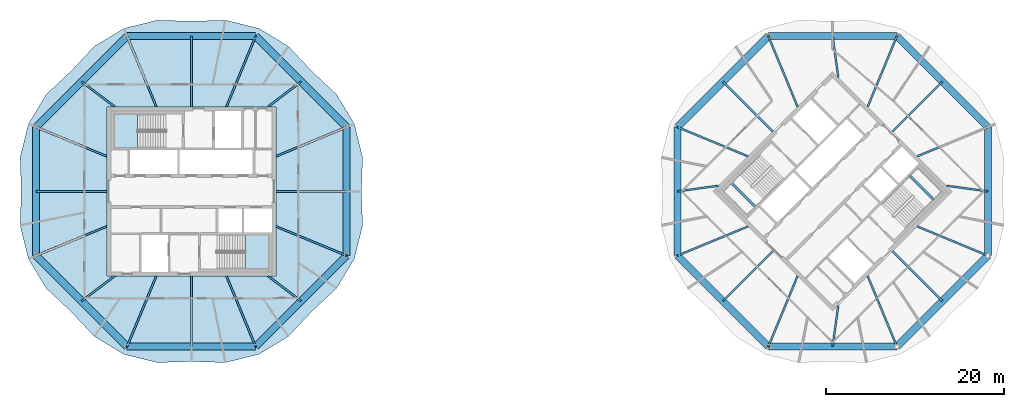
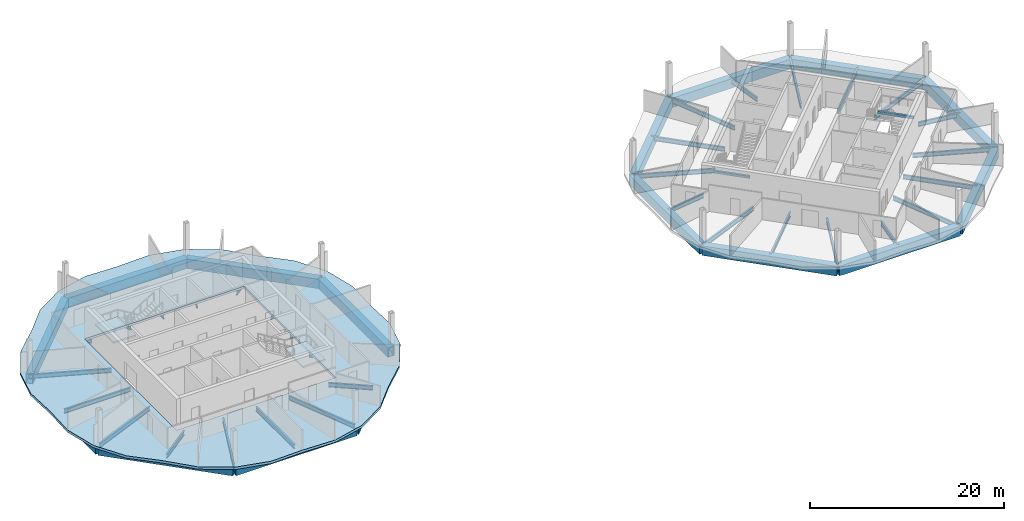
# One storey, part 3 of 10: 50 beams, 3 slabs, 2 elements without a shape of their own.
"""IFC4 building model written with IfcOpenShell, lengths in metres."""

from ifc_helpers import new_model, si_unit, direction, frame, origin, origin_2d, place, context, subcontext, project, spatial, polyline, rectangle, hollow_rectangle, i_section, outline, extrude, material, layer, layer_set, material_profile, profile_set, type_object, element, aggregate, save


model = new_model("IFC4")

# Units and contexts
model_context = context("Model", 3, precision=1e-05, world=origin(), true_north=direction((0.0, 1.0)))
body_context = subcontext(model_context, "Body", "Model", "MODEL_VIEW")
ifc_project = project(units=[si_unit("LENGTHUNIT", "METRE"), si_unit("AREAUNIT", "SQUARE_METRE"), si_unit("VOLUMEUNIT", "CUBIC_METRE"), si_unit("PLANEANGLEUNIT", "RADIAN"), si_unit("MASSUNIT", "GRAM", prefix="KILO")], contexts=[model_context])

# Site, building, storey
site_placement = place(None, origin())
site = spatial("IfcSite", under=ifc_project, at=site_placement, CompositionType="ELEMENT")
building_placement = place(site_placement, origin())
building = spatial("IfcBuilding", under=site, at=building_placement, Name="Ogive Gate Towers", CompositionType="ELEMENT")
storey_placement = place(building_placement, frame((0.0, 0.0, 264.60009765625)))
storey = spatial("IfcBuildingStorey", under=building, at=storey_placement, Name="L62", CompositionType="ELEMENT", Elevation=264.60009765625)

# Beams
ifc_material_1 = material(Name="Steel SM460", Category="steel")
ifc_material_profile_1 = material_profile(ifc_material_1, hollow_rectangle(XDim=0.800048828125, YDim=1.199951171875, WallThickness=0.050048828125, at=origin_2d()), Name="BX 1200x800x50")
ifc_profile_set_1 = profile_set([ifc_material_profile_1], Name="Steel SM460")
beam_type_1 = type_object("IfcBeamType", Name="Edge girder BX 1200x800x50", PredefinedType="BEAM", material=ifc_profile_set_1)
beam_1_placement = place(storey_placement, frame((-53.42431640625, -7.217529296875, -0.900146484375), z_axis=(0.707106781187, -0.707106781187, 0.0), x_axis=(0.707106781187, 0.707106781187, 0.0)))
element("IfcBeam", 1, at=beam_1_placement, inside=storey, type_object=beam_type_1, Name="T1/L62/SBM017", PredefinedType="BEAM", context=body_context, shape_type="SweptSolid", body=[
    extrude(hollow_rectangle(XDim=0.800048828125, YDim=1.199951171875, WallThickness=0.050048828125, at=origin_2d()), origin(), (0.0, 0.0, 1.0), 14.4345703125),
])
beam_2_placement = place(storey_placement, frame((-43.217529296875, -17.42431640625, -0.900146484375), z_axis=(1.0, 0.0, 0.0), x_axis=(0.0, 1.0, 0.0)))
element("IfcBeam", 2, at=beam_2_placement, inside=storey, type_object=beam_type_1, Name="T1/L62/SBM018", PredefinedType="BEAM", context=body_context, shape_type="SweptSolid", body=[
    extrude(hollow_rectangle(XDim=0.800048828125, YDim=1.199951171875, WallThickness=0.050048828125, at=origin_2d()), origin(), (0.0, 0.0, 1.0), 14.43505859375),
])
beam_3_placement = place(storey_placement, frame((-28.782470703125, -17.42431640625, -0.900146484375), z_axis=(0.707106781187, 0.707106781187, 0.0), x_axis=(-0.707106781187, 0.707106781187, 0.0)))
element("IfcBeam", 3, at=beam_3_placement, inside=storey, type_object=beam_type_1, Name="T1/L62/SBM019", PredefinedType="BEAM", context=body_context, shape_type="SweptSolid", body=[
    extrude(hollow_rectangle(XDim=0.800048828125, YDim=1.199951171875, WallThickness=0.050048828125, at=origin_2d()), origin(), (0.0, 0.0, 1.0), 14.4345703125),
])
beam_4_placement = place(storey_placement, frame((-18.57568359375, -7.217529296875, -0.900146484375), z_axis=(0.0, 1.0, 0.0), x_axis=(-1.0, 0.0, 0.0)))
element("IfcBeam", 4, at=beam_4_placement, inside=storey, type_object=beam_type_1, Name="T1/L62/SBM020", PredefinedType="BEAM", context=body_context, shape_type="SweptSolid", body=[
    extrude(hollow_rectangle(XDim=0.800048828125, YDim=1.199951171875, WallThickness=0.050048828125, at=origin_2d()), origin(), (0.0, 0.0, 1.0), 14.43505859375),
])
beam_5_placement = place(storey_placement, frame((-18.57568359375, 7.217529296875, -0.900146484375), z_axis=(-0.707106781187, 0.707106781187, 0.0), x_axis=(-0.707106781187, -0.707106781187, 0.0)))
element("IfcBeam", 5, at=beam_5_placement, inside=storey, type_object=beam_type_1, Name="T1/L62/SBM021", PredefinedType="BEAM", context=body_context, shape_type="SweptSolid", body=[
    extrude(hollow_rectangle(XDim=0.800048828125, YDim=1.199951171875, WallThickness=0.050048828125, at=origin_2d()), origin(), (0.0, 0.0, 1.0), 14.4345703125),
])
beam_6_placement = place(storey_placement, frame((-28.782470703125, 17.42431640625, -0.900146484375), z_axis=(-1.0, 0.0, 0.0), x_axis=(0.0, -1.0, 0.0)))
element("IfcBeam", 6, at=beam_6_placement, inside=storey, type_object=beam_type_1, Name="T1/L62/SBM022", PredefinedType="BEAM", context=body_context, shape_type="SweptSolid", body=[
    extrude(hollow_rectangle(XDim=0.800048828125, YDim=1.199951171875, WallThickness=0.050048828125, at=origin_2d()), origin(), (0.0, 0.0, 1.0), 14.43505859375),
])
beam_7_placement = place(storey_placement, frame((-43.217529296875, 17.42431640625, -0.900146484375), z_axis=(-0.707106781187, -0.707106781187, 0.0), x_axis=(0.707106781187, -0.707106781187, 0.0)))
element("IfcBeam", 7, at=beam_7_placement, inside=storey, type_object=beam_type_1, Name="T1/L62/SBM023", PredefinedType="BEAM", context=body_context, shape_type="SweptSolid", body=[
    extrude(hollow_rectangle(XDim=0.800048828125, YDim=1.199951171875, WallThickness=0.050048828125, at=origin_2d()), origin(), (0.0, 0.0, 1.0), 14.4345703125),
])
beam_8_placement = place(storey_placement, frame((-53.42431640625, 7.217529296875, -0.900146484375), z_axis=(0.0, -1.0, 0.0), x_axis=(1.0, 0.0, 0.0)))
element("IfcBeam", 8, at=beam_8_placement, inside=storey, type_object=beam_type_1, Name="T1/L62/SBM024", PredefinedType="BEAM", context=body_context, shape_type="SweptSolid", body=[
    extrude(hollow_rectangle(XDim=0.800048828125, YDim=1.199951171875, WallThickness=0.050048828125, at=origin_2d()), origin(), (0.0, 0.0, 1.0), 14.43505859375),
])
beam_9_placement = place(storey_placement, frame((18.57568359375, -7.217529296875, -0.900146484375), z_axis=(0.707106781187, -0.707106781187, 0.0), x_axis=(0.707106781187, 0.707106781187, 0.0)))
element("IfcBeam", 9, at=beam_9_placement, inside=storey, type_object=beam_type_1, Name="T2/L62/SBM017", PredefinedType="BEAM", context=body_context, shape_type="SweptSolid", body=[
    extrude(hollow_rectangle(XDim=0.800048828125, YDim=1.199951171875, WallThickness=0.050048828125, at=origin_2d()), origin(), (0.0, 0.0, 1.0), 14.4345703125),
])
beam_10_placement = place(storey_placement, frame((28.782470703125, -17.42431640625, -0.900146484375), z_axis=(1.0, 0.0, 0.0), x_axis=(0.0, 1.0, 0.0)))
element("IfcBeam", 10, at=beam_10_placement, inside=storey, type_object=beam_type_1, Name="T2/L62/SBM018", PredefinedType="BEAM", context=body_context, shape_type="SweptSolid", body=[
    extrude(hollow_rectangle(XDim=0.800048828125, YDim=1.199951171875, WallThickness=0.050048828125, at=origin_2d()), origin(), (0.0, 0.0, 1.0), 14.43505859375),
])
beam_11_placement = place(storey_placement, frame((43.217529296875, -17.42431640625, -0.900146484375), z_axis=(0.707106781187, 0.707106781187, 0.0), x_axis=(-0.707106781187, 0.707106781187, 0.0)))
element("IfcBeam", 11, at=beam_11_placement, inside=storey, type_object=beam_type_1, Name="T2/L62/SBM019", PredefinedType="BEAM", context=body_context, shape_type="SweptSolid", body=[
    extrude(hollow_rectangle(XDim=0.800048828125, YDim=1.199951171875, WallThickness=0.050048828125, at=origin_2d()), origin(), (0.0, 0.0, 1.0), 14.4345703125),
])
beam_12_placement = place(storey_placement, frame((53.42431640625, -7.217529296875, -0.900146484375), z_axis=(0.0, 1.0, 0.0), x_axis=(-1.0, 0.0, 0.0)))
element("IfcBeam", 12, at=beam_12_placement, inside=storey, type_object=beam_type_1, Name="T2/L62/SBM020", PredefinedType="BEAM", context=body_context, shape_type="SweptSolid", body=[
    extrude(hollow_rectangle(XDim=0.800048828125, YDim=1.199951171875, WallThickness=0.050048828125, at=origin_2d()), origin(), (0.0, 0.0, 1.0), 14.43505859375),
])
beam_13_placement = place(storey_placement, frame((53.42431640625, 7.217529296875, -0.900146484375), z_axis=(-0.707106781187, 0.707106781187, 0.0), x_axis=(-0.707106781187, -0.707106781187, 0.0)))
element("IfcBeam", 13, at=beam_13_placement, inside=storey, type_object=beam_type_1, Name="T2/L62/SBM021", PredefinedType="BEAM", context=body_context, shape_type="SweptSolid", body=[
    extrude(hollow_rectangle(XDim=0.800048828125, YDim=1.199951171875, WallThickness=0.050048828125, at=origin_2d()), origin(), (0.0, 0.0, 1.0), 14.4345703125),
])
beam_14_placement = place(storey_placement, frame((43.217529296875, 17.42431640625, -0.900146484375), z_axis=(-1.0, 0.0, 0.0), x_axis=(0.0, -1.0, 0.0)))
element("IfcBeam", 14, at=beam_14_placement, inside=storey, type_object=beam_type_1, Name="T2/L62/SBM022", PredefinedType="BEAM", context=body_context, shape_type="SweptSolid", body=[
    extrude(hollow_rectangle(XDim=0.800048828125, YDim=1.199951171875, WallThickness=0.050048828125, at=origin_2d()), origin(), (0.0, 0.0, 1.0), 14.43505859375),
])
beam_15_placement = place(storey_placement, frame((28.782470703125, 17.42431640625, -0.900146484375), z_axis=(-0.707106781187, -0.707106781187, 0.0), x_axis=(0.707106781187, -0.707106781187, 0.0)))
element("IfcBeam", 15, at=beam_15_placement, inside=storey, type_object=beam_type_1, Name="T2/L62/SBM023", PredefinedType="BEAM", context=body_context, shape_type="SweptSolid", body=[
    extrude(hollow_rectangle(XDim=0.800048828125, YDim=1.199951171875, WallThickness=0.050048828125, at=origin_2d()), origin(), (0.0, 0.0, 1.0), 14.4345703125),
])
beam_16_placement = place(storey_placement, frame((18.57568359375, 7.217529296875, -0.900146484375), z_axis=(0.0, -1.0, 0.0), x_axis=(1.0, 0.0, 0.0)))
element("IfcBeam", 16, at=beam_16_placement, inside=storey, type_object=beam_type_1, Name="T2/L62/SBM024", PredefinedType="BEAM", context=body_context, shape_type="SweptSolid", body=[
    extrude(hollow_rectangle(XDim=0.800048828125, YDim=1.199951171875, WallThickness=0.050048828125, at=origin_2d()), origin(), (0.0, 0.0, 1.0), 14.43505859375),
])
ifc_material_2 = material(Name="Concrete C40/50", Category="concrete")
ifc_material_profile_2 = material_profile(ifc_material_2, rectangle(XDim=0.25, YDim=0.300048828125, at=origin_2d()), Name="RC 250x300")
ifc_profile_set_2 = profile_set([ifc_material_profile_2], Name="Concrete C40/50")
beam_type_2 = type_object("IfcBeamType", Name="Landing bearer RC 250x300", PredefinedType="BEAM", material=ifc_profile_set_2)
for number, where, z_axis, x_axis, name in (
    (17, (24.64111328125, 0.94482421875, 1.75), (0.707138693938, -0.707074866995, 0.0), (0.707074866995, 0.707138693938, 0.0), "T2 L62 stair 1 landing bearer 1"),
    (18, (47.35888671875, -0.94482421875, 1.75), (-0.707138693938, 0.707074866995, 0.0), (-0.707074866995, -0.707138693938, 0.0), "T2 L62 stair 2 landing bearer 1"),
):
    element("IfcBeam", number, at=place(storey_placement, frame(where, z_axis=z_axis, x_axis=x_axis)), inside=storey, type_object=beam_type_2, Name=name, PredefinedType="BEAM", context=body_context, shape_type="SweptSolid", body=[
        extrude(rectangle(XDim=0.25, YDim=0.300048828125, at=origin_2d()), origin(), (0.0, 0.0, 1.0), 3.824951171875),
    ])
ifc_material_3 = material(Name="Steel SM355", Category="steel")
ifc_material_profile_3 = material_profile(ifc_material_3, i_section(OverallWidth=0.2099609375, OverallDepth=0.550048828125, WebThickness=0.010986328125, FlangeThickness=0.01708984375, FilletRadius=0.02392578125, at=origin_2d()), Name="IPE 550")
ifc_profile_set_3 = profile_set([ifc_material_profile_3], Name="Steel SM355")
beam_type_3 = type_object("IfcBeamType", Name="Radial floor beam IPE 550", PredefinedType="BEAM", material=ifc_profile_set_3)
beam_17_placement = place(storey_placement, frame((-45.5, -3.93505859375, -0.5751953125), z_axis=(-0.923874941579, -0.382694515667, 0.0), x_axis=(0.382694515667, -0.923874941579, 0.0)))
element("IfcBeam", 19, at=beam_17_placement, inside=storey, type_object=beam_type_3, Name="T1/L62/SBM001", PredefinedType="BEAM", context=body_context, shape_type="SweptSolid", body=[
    extrude(i_section(OverallWidth=0.2099609375, OverallDepth=0.550048828125, WebThickness=0.010986328125, FlangeThickness=0.01708984375, FilletRadius=0.02392578125, at=origin_2d()), origin(), (0.0, 0.0, 1.0), 8.5771484375),
])
beam_18_placement = place(storey_placement, frame((-44.60009765625, -9.5, -0.5751953125), z_axis=(-0.796877025219, -0.604141545235, 0.0), x_axis=(0.604141545235, -0.796877025219, 0.0)))
element("IfcBeam", 20, at=beam_18_placement, inside=storey, type_object=beam_type_3, Name="T1/L62/SBM002", PredefinedType="BEAM", context=body_context, shape_type="SweptSolid", body=[
    extrude(i_section(OverallWidth=0.2099609375, OverallDepth=0.550048828125, WebThickness=0.010986328125, FlangeThickness=0.01708984375, FilletRadius=0.02392578125, at=origin_2d()), origin(), (0.0, 0.0, 1.0), 4.669189453125),
])
beam_19_placement = place(storey_placement, frame((-39.93505859375, -9.5, -0.5751953125), z_axis=(-0.382694515667, -0.923874941579, 0.0), x_axis=(0.923874941579, -0.382694515667, 0.0)))
element("IfcBeam", 21, at=beam_19_placement, inside=storey, type_object=beam_type_3, Name="T1/L62/SBM003", PredefinedType="BEAM", context=body_context, shape_type="SweptSolid", body=[
    extrude(i_section(OverallWidth=0.2099609375, OverallDepth=0.550048828125, WebThickness=0.010986328125, FlangeThickness=0.01708984375, FilletRadius=0.02392578125, at=origin_2d()), origin(), (0.0, 0.0, 1.0), 8.5771484375),
])
beam_20_placement = place(storey_placement, frame((-36.0, -9.5, -0.5751953125), z_axis=(0.0, -1.0, 0.0), x_axis=(1.0, 0.0, 0.0)))
element("IfcBeam", 22, at=beam_20_placement, inside=storey, type_object=beam_type_3, Name="T1/L62/SBM004", PredefinedType="BEAM", context=body_context, shape_type="SweptSolid", body=[
    extrude(i_section(OverallWidth=0.2099609375, OverallDepth=0.550048828125, WebThickness=0.010986328125, FlangeThickness=0.01708984375, FilletRadius=0.02392578125, at=origin_2d()), origin(), (0.0, 0.0, 1.0), 7.92431640625),
])
beam_21_placement = place(storey_placement, frame((-32.06494140625, -9.5, -0.5751953125), z_axis=(0.382694515667, -0.923874941579, 0.0), x_axis=(0.923874941579, 0.382694515667, 0.0)))
element("IfcBeam", 23, at=beam_21_placement, inside=storey, type_object=beam_type_3, Name="T1/L62/SBM005", PredefinedType="BEAM", context=body_context, shape_type="SweptSolid", body=[
    extrude(i_section(OverallWidth=0.2099609375, OverallDepth=0.550048828125, WebThickness=0.010986328125, FlangeThickness=0.01708984375, FilletRadius=0.02392578125, at=origin_2d()), origin(), (0.0, 0.0, 1.0), 8.5771484375),
])
beam_22_placement = place(storey_placement, frame((-27.39990234375, -9.5, -0.5751953125), z_axis=(0.796877025219, -0.604141545235, 0.0), x_axis=(0.604141545235, 0.796877025219, 0.0)))
element("IfcBeam", 24, at=beam_22_placement, inside=storey, type_object=beam_type_3, Name="T1/L62/SBM006", PredefinedType="BEAM", context=body_context, shape_type="SweptSolid", body=[
    extrude(i_section(OverallWidth=0.2099609375, OverallDepth=0.550048828125, WebThickness=0.010986328125, FlangeThickness=0.01708984375, FilletRadius=0.02392578125, at=origin_2d()), origin(), (0.0, 0.0, 1.0), 4.669189453125),
])
beam_23_placement = place(storey_placement, frame((-26.5, -3.93505859375, -0.5751953125), z_axis=(0.923874941579, -0.382694515667, 0.0), x_axis=(0.382694515667, 0.923874941579, 0.0)))
element("IfcBeam", 25, at=beam_23_placement, inside=storey, type_object=beam_type_3, Name="T1/L62/SBM007", PredefinedType="BEAM", context=body_context, shape_type="SweptSolid", body=[
    extrude(i_section(OverallWidth=0.2099609375, OverallDepth=0.550048828125, WebThickness=0.010986328125, FlangeThickness=0.01708984375, FilletRadius=0.02392578125, at=origin_2d()), origin(), (0.0, 0.0, 1.0), 8.5771484375),
])
beam_24_placement = place(storey_placement, frame((-26.5, 0.0, -0.5751953125), z_axis=(1.0, 0.0, 0.0), x_axis=(0.0, 1.0, 0.0)))
element("IfcBeam", 26, at=beam_24_placement, inside=storey, type_object=beam_type_3, Name="T1/L62/SBM008", PredefinedType="BEAM", context=body_context, shape_type="SweptSolid", body=[
    extrude(i_section(OverallWidth=0.2099609375, OverallDepth=0.550048828125, WebThickness=0.010986328125, FlangeThickness=0.01708984375, FilletRadius=0.02392578125, at=origin_2d()), origin(), (0.0, 0.0, 1.0), 7.92431640625),
])
beam_25_placement = place(storey_placement, frame((-26.5, 3.93505859375, -0.5751953125), z_axis=(0.923874941579, 0.382694515667, 0.0), x_axis=(-0.382694515667, 0.923874941579, 0.0)))
element("IfcBeam", 27, at=beam_25_placement, inside=storey, type_object=beam_type_3, Name="T1/L62/SBM009", PredefinedType="BEAM", context=body_context, shape_type="SweptSolid", body=[
    extrude(i_section(OverallWidth=0.2099609375, OverallDepth=0.550048828125, WebThickness=0.010986328125, FlangeThickness=0.01708984375, FilletRadius=0.02392578125, at=origin_2d()), origin(), (0.0, 0.0, 1.0), 8.5771484375),
])
beam_26_placement = place(storey_placement, frame((-27.39990234375, 9.5, -0.5751953125), z_axis=(0.796877025219, 0.604141545235, 0.0), x_axis=(-0.604141545235, 0.796877025219, 0.0)))
element("IfcBeam", 28, at=beam_26_placement, inside=storey, type_object=beam_type_3, Name="T1/L62/SBM010", PredefinedType="BEAM", context=body_context, shape_type="SweptSolid", body=[
    extrude(i_section(OverallWidth=0.2099609375, OverallDepth=0.550048828125, WebThickness=0.010986328125, FlangeThickness=0.01708984375, FilletRadius=0.02392578125, at=origin_2d()), origin(), (0.0, 0.0, 1.0), 4.669189453125),
])
beam_27_placement = place(storey_placement, frame((-32.06494140625, 9.5, -0.5751953125), z_axis=(0.382694515667, 0.923874941579, 0.0), x_axis=(-0.923874941579, 0.382694515667, 0.0)))
element("IfcBeam", 29, at=beam_27_placement, inside=storey, type_object=beam_type_3, Name="T1/L62/SBM011", PredefinedType="BEAM", context=body_context, shape_type="SweptSolid", body=[
    extrude(i_section(OverallWidth=0.2099609375, OverallDepth=0.550048828125, WebThickness=0.010986328125, FlangeThickness=0.01708984375, FilletRadius=0.02392578125, at=origin_2d()), origin(), (0.0, 0.0, 1.0), 8.5771484375),
])
beam_28_placement = place(storey_placement, frame((-36.0, 9.5, -0.5751953125), z_axis=(0.0, 1.0, 0.0), x_axis=(-1.0, 0.0, 0.0)))
element("IfcBeam", 30, at=beam_28_placement, inside=storey, type_object=beam_type_3, Name="T1/L62/SBM012", PredefinedType="BEAM", context=body_context, shape_type="SweptSolid", body=[
    extrude(i_section(OverallWidth=0.2099609375, OverallDepth=0.550048828125, WebThickness=0.010986328125, FlangeThickness=0.01708984375, FilletRadius=0.02392578125, at=origin_2d()), origin(), (0.0, 0.0, 1.0), 7.92431640625),
])
beam_29_placement = place(storey_placement, frame((-39.93505859375, 9.5, -0.5751953125), z_axis=(-0.382694515667, 0.923874941579, 0.0), x_axis=(-0.923874941579, -0.382694515667, 0.0)))
element("IfcBeam", 31, at=beam_29_placement, inside=storey, type_object=beam_type_3, Name="T1/L62/SBM013", PredefinedType="BEAM", context=body_context, shape_type="SweptSolid", body=[
    extrude(i_section(OverallWidth=0.2099609375, OverallDepth=0.550048828125, WebThickness=0.010986328125, FlangeThickness=0.01708984375, FilletRadius=0.02392578125, at=origin_2d()), origin(), (0.0, 0.0, 1.0), 8.5771484375),
])
beam_30_placement = place(storey_placement, frame((-44.60009765625, 9.5, -0.5751953125), z_axis=(-0.796877025219, 0.604141545235, 0.0), x_axis=(-0.604141545235, -0.796877025219, 0.0)))
element("IfcBeam", 32, at=beam_30_placement, inside=storey, type_object=beam_type_3, Name="T1/L62/SBM014", PredefinedType="BEAM", context=body_context, shape_type="SweptSolid", body=[
    extrude(i_section(OverallWidth=0.2099609375, OverallDepth=0.550048828125, WebThickness=0.010986328125, FlangeThickness=0.01708984375, FilletRadius=0.02392578125, at=origin_2d()), origin(), (0.0, 0.0, 1.0), 4.669189453125),
])
beam_31_placement = place(storey_placement, frame((-45.5, 3.93505859375, -0.5751953125), z_axis=(-0.923874941579, 0.382694515667, 0.0), x_axis=(-0.382694515667, -0.923874941579, 0.0)))
element("IfcBeam", 33, at=beam_31_placement, inside=storey, type_object=beam_type_3, Name="T1/L62/SBM015", PredefinedType="BEAM", context=body_context, shape_type="SweptSolid", body=[
    extrude(i_section(OverallWidth=0.2099609375, OverallDepth=0.550048828125, WebThickness=0.010986328125, FlangeThickness=0.01708984375, FilletRadius=0.02392578125, at=origin_2d()), origin(), (0.0, 0.0, 1.0), 8.5771484375),
])
beam_32_placement = place(storey_placement, frame((-45.5, 0.0, -0.5751953125), z_axis=(-1.0, 0.0, 0.0), x_axis=(0.0, -1.0, 0.0)))
element("IfcBeam", 34, at=beam_32_placement, inside=storey, type_object=beam_type_3, Name="T1/L62/SBM016", PredefinedType="BEAM", context=body_context, shape_type="SweptSolid", body=[
    extrude(i_section(OverallWidth=0.2099609375, OverallDepth=0.550048828125, WebThickness=0.010986328125, FlangeThickness=0.01708984375, FilletRadius=0.02392578125, at=origin_2d()), origin(), (0.0, 0.0, 1.0), 7.92431640625),
])
beam_33_placement = place(storey_placement, frame((26.5, -3.93505859375, -0.5751953125), z_axis=(-0.923874941579, -0.382694515667, 0.0), x_axis=(0.382694515667, -0.923874941579, 0.0)))
element("IfcBeam", 35, at=beam_33_placement, inside=storey, type_object=beam_type_3, Name="T2/L62/SBM001", PredefinedType="BEAM", context=body_context, shape_type="SweptSolid", body=[
    extrude(i_section(OverallWidth=0.2099609375, OverallDepth=0.550048828125, WebThickness=0.010986328125, FlangeThickness=0.01708984375, FilletRadius=0.02392578125, at=origin_2d()), origin(), (0.0, 0.0, 1.0), 8.5771484375),
])
beam_34_placement = place(storey_placement, frame((29.282470703125, -6.717529296875, -0.5751953125), z_axis=(-0.707106781187, -0.707106781187, 0.0), x_axis=(0.707106781187, -0.707106781187, 0.0)))
element("IfcBeam", 36, at=beam_34_placement, inside=storey, type_object=beam_type_3, Name="T2/L62/SBM002", PredefinedType="BEAM", context=body_context, shape_type="SweptSolid", body=[
    extrude(i_section(OverallWidth=0.2099609375, OverallDepth=0.550048828125, WebThickness=0.010986328125, FlangeThickness=0.01708984375, FilletRadius=0.02392578125, at=origin_2d()), origin(), (0.0, 0.0, 1.0), 7.92431640625),
])
beam_35_placement = place(storey_placement, frame((32.06494140625, -9.5, -0.5751953125), z_axis=(-0.382694515667, -0.923874941579, 0.0), x_axis=(0.923874941579, -0.382694515667, 0.0)))
element("IfcBeam", 37, at=beam_35_placement, inside=storey, type_object=beam_type_3, Name="T2/L62/SBM003", PredefinedType="BEAM", context=body_context, shape_type="SweptSolid", body=[
    extrude(i_section(OverallWidth=0.2099609375, OverallDepth=0.550048828125, WebThickness=0.010986328125, FlangeThickness=0.01708984375, FilletRadius=0.02392578125, at=origin_2d()), origin(), (0.0, 0.0, 1.0), 8.5771484375),
])
beam_36_placement = place(storey_placement, frame((36.636474609375, -12.798583984375, -0.5751953125), z_axis=(-0.136310067219, -0.990666223092, 0.0), x_axis=(0.990666223092, -0.136310067219, 0.0)))
element("IfcBeam", 38, at=beam_36_placement, inside=storey, type_object=beam_type_3, Name="T2/L62/SBM004", PredefinedType="BEAM", context=body_context, shape_type="SweptSolid", body=[
    extrude(i_section(OverallWidth=0.2099609375, OverallDepth=0.550048828125, WebThickness=0.010986328125, FlangeThickness=0.01708984375, FilletRadius=0.02392578125, at=origin_2d()), origin(), (0.0, 0.0, 1.0), 4.66943359375),
])
beam_37_placement = place(storey_placement, frame((39.93505859375, -9.5, -0.5751953125), z_axis=(0.382694515667, -0.923874941579, 0.0), x_axis=(0.923874941579, 0.382694515667, 0.0)))
element("IfcBeam", 39, at=beam_37_placement, inside=storey, type_object=beam_type_3, Name="T2/L62/SBM005", PredefinedType="BEAM", context=body_context, shape_type="SweptSolid", body=[
    extrude(i_section(OverallWidth=0.2099609375, OverallDepth=0.550048828125, WebThickness=0.010986328125, FlangeThickness=0.01708984375, FilletRadius=0.02392578125, at=origin_2d()), origin(), (0.0, 0.0, 1.0), 8.5771484375),
])
beam_38_placement = place(storey_placement, frame((42.717529296875, -6.717529296875, -0.5751953125), z_axis=(0.707106781187, -0.707106781187, 0.0), x_axis=(0.707106781187, 0.707106781187, 0.0)))
element("IfcBeam", 40, at=beam_38_placement, inside=storey, type_object=beam_type_3, Name="T2/L62/SBM006", PredefinedType="BEAM", context=body_context, shape_type="SweptSolid", body=[
    extrude(i_section(OverallWidth=0.2099609375, OverallDepth=0.550048828125, WebThickness=0.010986328125, FlangeThickness=0.01708984375, FilletRadius=0.02392578125, at=origin_2d()), origin(), (0.0, 0.0, 1.0), 7.92431640625),
])
beam_39_placement = place(storey_placement, frame((45.5, -3.93505859375, -0.5751953125), z_axis=(0.923874941579, -0.382694515667, 0.0), x_axis=(0.382694515667, 0.923874941579, 0.0)))
element("IfcBeam", 41, at=beam_39_placement, inside=storey, type_object=beam_type_3, Name="T2/L62/SBM007", PredefinedType="BEAM", context=body_context, shape_type="SweptSolid", body=[
    extrude(i_section(OverallWidth=0.2099609375, OverallDepth=0.550048828125, WebThickness=0.010986328125, FlangeThickness=0.01708984375, FilletRadius=0.02392578125, at=origin_2d()), origin(), (0.0, 0.0, 1.0), 8.5771484375),
])
beam_40_placement = place(storey_placement, frame((48.798583984375, 0.636474609375, -0.5751953125), z_axis=(0.990666223092, -0.136310067219, 0.0), x_axis=(0.136310067219, 0.990666223092, 0.0)))
element("IfcBeam", 42, at=beam_40_placement, inside=storey, type_object=beam_type_3, Name="T2/L62/SBM008", PredefinedType="BEAM", context=body_context, shape_type="SweptSolid", body=[
    extrude(i_section(OverallWidth=0.2099609375, OverallDepth=0.550048828125, WebThickness=0.010986328125, FlangeThickness=0.01708984375, FilletRadius=0.02392578125, at=origin_2d()), origin(), (0.0, 0.0, 1.0), 4.66943359375),
])
beam_41_placement = place(storey_placement, frame((45.5, 3.93505859375, -0.5751953125), z_axis=(0.923874941579, 0.382694515667, 0.0), x_axis=(-0.382694515667, 0.923874941579, 0.0)))
element("IfcBeam", 43, at=beam_41_placement, inside=storey, type_object=beam_type_3, Name="T2/L62/SBM009", PredefinedType="BEAM", context=body_context, shape_type="SweptSolid", body=[
    extrude(i_section(OverallWidth=0.2099609375, OverallDepth=0.550048828125, WebThickness=0.010986328125, FlangeThickness=0.01708984375, FilletRadius=0.02392578125, at=origin_2d()), origin(), (0.0, 0.0, 1.0), 8.5771484375),
])
beam_42_placement = place(storey_placement, frame((42.717529296875, 6.717529296875, -0.5751953125), z_axis=(0.707106781187, 0.707106781187, 0.0), x_axis=(-0.707106781187, 0.707106781187, 0.0)))
element("IfcBeam", 44, at=beam_42_placement, inside=storey, type_object=beam_type_3, Name="T2/L62/SBM010", PredefinedType="BEAM", context=body_context, shape_type="SweptSolid", body=[
    extrude(i_section(OverallWidth=0.2099609375, OverallDepth=0.550048828125, WebThickness=0.010986328125, FlangeThickness=0.01708984375, FilletRadius=0.02392578125, at=origin_2d()), origin(), (0.0, 0.0, 1.0), 7.92431640625),
])
beam_43_placement = place(storey_placement, frame((39.93505859375, 9.5, -0.5751953125), z_axis=(0.382694515667, 0.923874941579, 0.0), x_axis=(-0.923874941579, 0.382694515667, 0.0)))
element("IfcBeam", 45, at=beam_43_placement, inside=storey, type_object=beam_type_3, Name="T2/L62/SBM011", PredefinedType="BEAM", context=body_context, shape_type="SweptSolid", body=[
    extrude(i_section(OverallWidth=0.2099609375, OverallDepth=0.550048828125, WebThickness=0.010986328125, FlangeThickness=0.01708984375, FilletRadius=0.02392578125, at=origin_2d()), origin(), (0.0, 0.0, 1.0), 8.5771484375),
])
beam_44_placement = place(storey_placement, frame((36.636474609375, 12.798583984375, -0.5751953125), z_axis=(-0.136310067219, 0.990666223092, 0.0), x_axis=(-0.990666223092, -0.136310067219, 0.0)))
element("IfcBeam", 46, at=beam_44_placement, inside=storey, type_object=beam_type_3, Name="T2/L62/SBM012", PredefinedType="BEAM", context=body_context, shape_type="SweptSolid", body=[
    extrude(i_section(OverallWidth=0.2099609375, OverallDepth=0.550048828125, WebThickness=0.010986328125, FlangeThickness=0.01708984375, FilletRadius=0.02392578125, at=origin_2d()), origin(), (0.0, 0.0, 1.0), 4.66943359375),
])
beam_45_placement = place(storey_placement, frame((32.06494140625, 9.5, -0.5751953125), z_axis=(-0.382694515667, 0.923874941579, 0.0), x_axis=(-0.923874941579, -0.382694515667, 0.0)))
element("IfcBeam", 47, at=beam_45_placement, inside=storey, type_object=beam_type_3, Name="T2/L62/SBM013", PredefinedType="BEAM", context=body_context, shape_type="SweptSolid", body=[
    extrude(i_section(OverallWidth=0.2099609375, OverallDepth=0.550048828125, WebThickness=0.010986328125, FlangeThickness=0.01708984375, FilletRadius=0.02392578125, at=origin_2d()), origin(), (0.0, 0.0, 1.0), 8.5771484375),
])
beam_46_placement = place(storey_placement, frame((29.282470703125, 6.717529296875, -0.5751953125), z_axis=(-0.707106781187, 0.707106781187, 0.0), x_axis=(-0.707106781187, -0.707106781187, 0.0)))
element("IfcBeam", 48, at=beam_46_placement, inside=storey, type_object=beam_type_3, Name="T2/L62/SBM014", PredefinedType="BEAM", context=body_context, shape_type="SweptSolid", body=[
    extrude(i_section(OverallWidth=0.2099609375, OverallDepth=0.550048828125, WebThickness=0.010986328125, FlangeThickness=0.01708984375, FilletRadius=0.02392578125, at=origin_2d()), origin(), (0.0, 0.0, 1.0), 7.92431640625),
])
beam_47_placement = place(storey_placement, frame((26.5, 3.93505859375, -0.5751953125), z_axis=(-0.923874941579, 0.382694515667, 0.0), x_axis=(-0.382694515667, -0.923874941579, 0.0)))
element("IfcBeam", 49, at=beam_47_placement, inside=storey, type_object=beam_type_3, Name="T2/L62/SBM015", PredefinedType="BEAM", context=body_context, shape_type="SweptSolid", body=[
    extrude(i_section(OverallWidth=0.2099609375, OverallDepth=0.550048828125, WebThickness=0.010986328125, FlangeThickness=0.01708984375, FilletRadius=0.02392578125, at=origin_2d()), origin(), (0.0, 0.0, 1.0), 8.5771484375),
])
beam_48_placement = place(storey_placement, frame((23.201416015625, 0.636474609375, -0.5751953125), z_axis=(-0.990666223092, -0.136310067219, 0.0), x_axis=(0.136310067219, -0.990666223092, 0.0)))
element("IfcBeam", 50, at=beam_48_placement, inside=storey, type_object=beam_type_3, Name="T2/L62/SBM016", PredefinedType="BEAM", context=body_context, shape_type="SweptSolid", body=[
    extrude(i_section(OverallWidth=0.2099609375, OverallDepth=0.550048828125, WebThickness=0.010986328125, FlangeThickness=0.01708984375, FilletRadius=0.02392578125, at=origin_2d()), origin(), (0.0, 0.0, 1.0), 4.66943359375),
])

# Slab
ifc_material_4 = material(Name="Concrete C35/45", Category="concrete")
ifc_layer_1 = layer(ifc_material_4, 0.300048828125)
ifc_layer_set_1 = layer_set([ifc_layer_1], Name="Floor slab 300")
slab_type_1 = type_object("IfcSlabType", Name="Floor slab 300", PredefinedType="FLOOR", material=ifc_layer_set_1)
slab_1_placement = place(storey_placement, frame((0.0, 0.0, -0.300048828125)))
element("IfcSlab", 51, at=slab_1_placement, inside=storey, type_object=slab_type_1, Name="T1/L62/SSL001", PredefinedType="FLOOR", context=body_context, shape_type="SweptSolid", body=[
    extrude(outline(polyline([(-16.776611328125, -3.82373046875), (-16.89990234375, 0.0), (-16.776611328125, 3.82373046875), (-17.707275390625, 7.5771484375), (-19.703125, 10.88916015625), (-22.494140625, 13.505859375), (-25.11083984375, 16.296875), (-28.4228515625, 18.292724609375), (-32.17626953125, 19.223388671875), (-36.0, 19.10009765625), (-39.82373046875, 19.223388671875), (-43.5771484375, 18.292724609375), (-46.88916015625, 16.296875), (-49.505859375, 13.505859375), (-52.296875, 10.88916015625), (-54.292724609375, 7.5771484375), (-55.223388671875, 3.82373046875), (-55.10009765625, 0.0), (-55.223388671875, -3.82373046875), (-54.292724609375, -7.5771484375), (-52.296875, -10.88916015625), (-49.505859375, -13.505859375), (-46.88916015625, -16.296875), (-43.5771484375, -18.292724609375), (-39.82373046875, -19.223388671875), (-36.0, -19.10009765625), (-32.17626953125, -19.223388671875), (-28.4228515625, -18.292724609375), (-25.11083984375, -16.296875), (-22.494140625, -13.505859375), (-19.703125, -10.88916015625), (-17.707275390625, -7.5771484375), (-16.776611328125, -3.82373046875)]), holes=[polyline([(-26.5, -9.5), (-45.5, -9.5), (-45.5, 9.5), (-26.5, 9.5), (-26.5, -9.5)])]), origin(), (0.0, 0.0, 1.0), 0.300048828125),
])

# Stair, slab
stair_type = type_object("IfcStairType", Name="Escape stair 1840 wide", PredefinedType="HALF_TURN_STAIR", material=ifc_material_2)
stair_1_placement = place(storey_placement, origin())
stair_1 = element("IfcStair", 52, at=stair_1_placement, inside=storey, type_object=stair_type, Name="L62 Escape stair 1", PredefinedType="HALF_TURN_STAIR")
ifc_layer_2 = layer(ifc_material_2, 0.199951171875)
ifc_layer_set_2 = layer_set([ifc_layer_2], Name="Stair landing 200 mm")
slab_type_2 = type_object("IfcSlabType", Name="Stair landing 200 mm", PredefinedType="LANDING", material=ifc_layer_set_2)
slab_2_placement = place(storey_placement, frame((0.0, 0.0, 1.89990234375)))
slab_2 = element("IfcSlab", 53, at=slab_2_placement, type_object=slab_type_2, Name="ST1 landing 1", PredefinedType="LANDING", context=body_context, shape_type="SweptSolid", body=[
    extrude(outline(polyline([(-42.027587890625, 8.699951171875), (-44.699951171875, 8.699951171875), (-44.699951171875, 4.875), (-42.027587890625, 4.875), (-42.027587890625, 8.699951171875)])), origin(), (0.0, 0.0, 1.0), 0.199951171875),
])
aggregate(stair_1, [slab_2])

stair_2_placement = place(storey_placement, origin())
stair_2 = element("IfcStair", 54, at=stair_2_placement, inside=storey, type_object=stair_type, Name="L62 Escape stair 2", PredefinedType="HALF_TURN_STAIR")
slab_3_placement = place(storey_placement, frame((0.0, 0.0, 1.89990234375)))
slab_3 = element("IfcSlab", 55, at=slab_3_placement, type_object=slab_type_2, Name="ST2 landing 1", PredefinedType="LANDING", context=body_context, shape_type="SweptSolid", body=[
    extrude(outline(polyline([(-29.972412109375, -8.699951171875), (-27.300048828125, -8.699951171875), (-27.300048828125, -4.875), (-29.972412109375, -4.875), (-29.972412109375, -8.699951171875)])), origin(), (0.0, 0.0, 1.0), 0.199951171875),
])
aggregate(stair_2, [slab_3])

save(model, "model.ifc")
